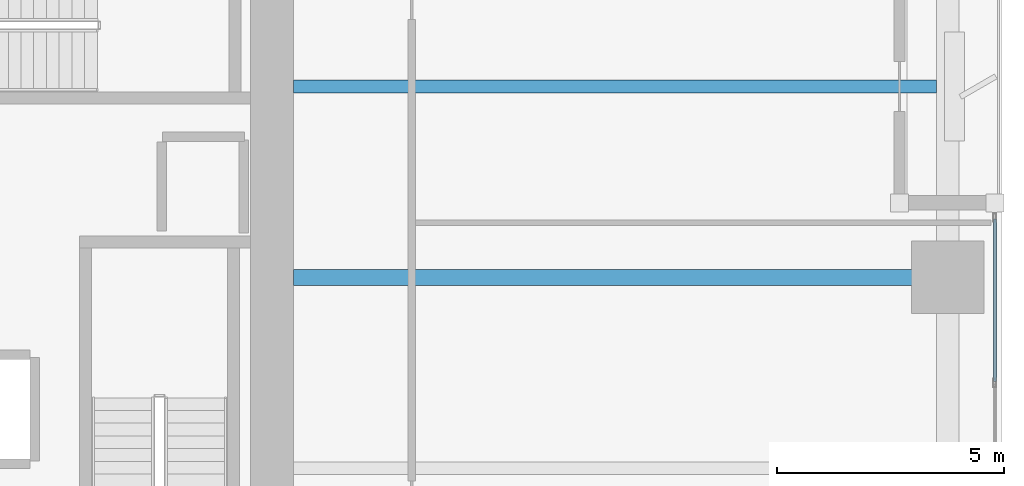
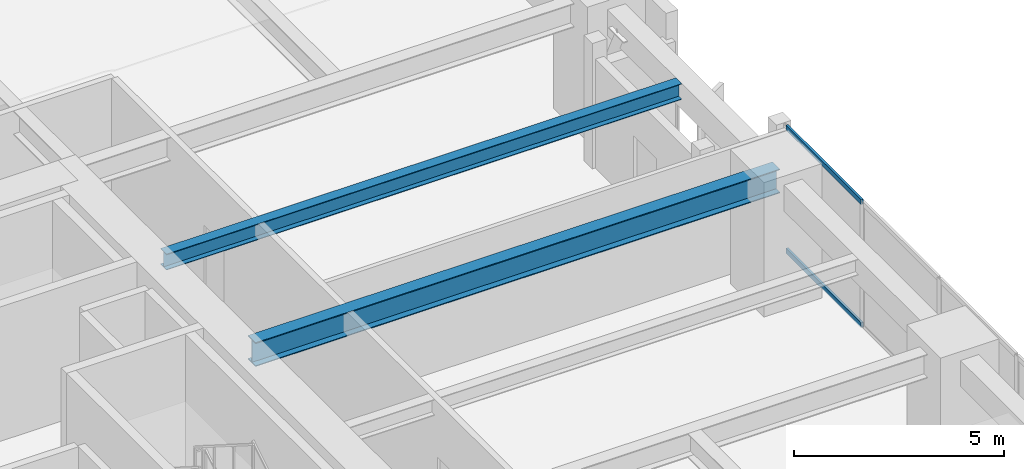
# One storey, part 12 of 26: 2 beams, 2 members, 1 element without a shape of its own.
"""IFC4 building model written with IfcOpenShell, lengths in metres."""

from ifc_helpers import new_model, si_unit, direction, frame, origin, origin_2d, place, context, subcontext, project, spatial, hollow_rectangle, i_section, extrude, material, layer, layer_set, material_profile, profile_set, type_object, element, aggregate, save


model = new_model("IFC4")

# Units and contexts
model_context = context("Model", 3, precision=1e-05, world=origin(), true_north=direction((0.0, 1.0)))
body_context = subcontext(model_context, "Body", "Model", "MODEL_VIEW")
ifc_project = project(units=[si_unit("LENGTHUNIT", "METRE"), si_unit("AREAUNIT", "SQUARE_METRE"), si_unit("VOLUMEUNIT", "CUBIC_METRE"), si_unit("PLANEANGLEUNIT", "RADIAN"), si_unit("MASSUNIT", "GRAM", prefix="KILO")], contexts=[model_context])

# Site, building, storey
site_placement = place(None, origin())
site = spatial("IfcSite", under=ifc_project, at=site_placement, CompositionType="ELEMENT")
building_placement = place(site_placement, origin())
building = spatial("IfcBuilding", under=site, at=building_placement, Name="Kiyonajd Concourse Tower", CompositionType="ELEMENT")
storey_placement = place(building_placement, frame((0.0, 0.0, 72.89990234375)))
storey = spatial("IfcBuildingStorey", under=building, at=storey_placement, Name="L19", CompositionType="ELEMENT", Elevation=72.89990234375)

# Beams
ifc_material_1 = material(Name="Steel ASTM A992 Grade 50", Category="steel")
ifc_material_profile_1 = material_profile(ifc_material_1, i_section(OverallWidth=0.280029296875, OverallDepth=0.462890625, WebThickness=0.0107421875, FlangeThickness=0.017333984375, at=origin_2d()), Name="W460X113")
ifc_profile_set_1 = profile_set([ifc_material_profile_1], Name="Steel ASTM A992 Grade 50")
beam_type_1 = type_object("IfcBeamType", Name="BM-JST-460A", PredefinedType="JOIST", material=ifc_profile_set_1)
beam_1_placement = place(storey_placement, frame((63.60009765625, 40.199951171875, 3.40869140625), z_axis=(1.0, 0.0, 0.0), x_axis=(0.0, 1.0, 0.0)))
element("IfcBeam", 1, at=beam_1_placement, inside=storey, type_object=beam_type_1, Name="L19 East Secondary Floor Joist", PredefinedType="JOIST", context=body_context, shape_type="SweptSolid", body=[
    extrude(i_section(OverallWidth=0.280029296875, OverallDepth=0.462890625, WebThickness=0.0107421875, FlangeThickness=0.017333984375, at=origin_2d()), origin(), (0.0, 0.0, 1.0), 14.14990234375),
])
ifc_material_profile_2 = material_profile(ifc_material_1, i_section(OverallWidth=0.35498046875, OverallDepth=0.695068359375, WebThickness=0.015380859375, FlangeThickness=0.02490234375, at=origin_2d()), Name="W690X217")
ifc_profile_set_2 = profile_set([ifc_material_profile_2], Name="Steel ASTM A992 Grade 50")
beam_type_2 = type_object("IfcBeamType", Name="BM-TWR-690", PredefinedType="BEAM", material=ifc_profile_set_2)
beam_2_placement = place(storey_placement, frame((63.60009765625, 36.0, 3.29248046875), z_axis=(1.0, 0.0, 0.0), x_axis=(0.0, 1.0, 0.0)))
element("IfcBeam", 2, at=beam_2_placement, inside=storey, type_object=beam_type_2, Name="L19 East Lease Girder", PredefinedType="BEAM", context=body_context, shape_type="SweptSolid", body=[
    extrude(i_section(OverallWidth=0.35498046875, OverallDepth=0.695068359375, WebThickness=0.015380859375, FlangeThickness=0.02490234375, at=origin_2d()), origin(), (0.0, 0.0, 1.0), 14.39990234375),
])

# Curtain wall, members
ifc_material_2 = material(Name="Thermally Broken Anodised Aluminium", Category="aluminium")
ifc_layer = layer(ifc_material_2, 0.179931640625)
ifc_layer_set = layer_set([ifc_layer], Name="Thermally Broken Anodised Aluminium")
curtain_wall_type = type_object("IfcCurtainWallType", Name="CW-SYS-02", PredefinedType="NOTDEFINED", material=ifc_layer_set)
curtain_wall_placement = place(storey_placement, origin())
curtain_wall = element("IfcCurtainWall", 3, at=curtain_wall_placement, inside=storey, type_object=curtain_wall_type, Name="L19 Unitised Curtain Wall CW2", PredefinedType="NOTDEFINED")
ifc_material_profile_3 = material_profile(ifc_material_2, hollow_rectangle(XDim=0.06494140625, YDim=0.139892578125, WallThickness=0.00390625, at=origin_2d()), Name="TRAN-65x140")
ifc_profile_set_3 = profile_set([ifc_material_profile_3], Name="Thermally Broken Anodised Aluminium")
member_type = type_object("IfcMemberType", Name="MB-CW-TRAN1", PredefinedType="USERDEFINED", material=ifc_profile_set_3)
member_1_placement = place(storey_placement, frame((79.0400390625, 37.284912109375, 0.03271484375), z_axis=(0.0, -1.0, 0.0), x_axis=(1.0, 0.0, 0.0)))
member_1 = element("IfcMember", 4, at=member_1_placement, type_object=member_type, Name="CW2 transom 1.1", ObjectType="TRANSOM", PredefinedType="USERDEFINED", context=body_context, shape_type="SweptSolid", body=[
    extrude(hollow_rectangle(XDim=0.06494140625, YDim=0.139892578125, WallThickness=0.00390625, at=origin_2d()), origin(), (0.0, 0.0, 1.0), 3.57568359375),
])
member_2_placement = place(storey_placement, frame((79.0400390625, 37.284912109375, 3.607666015625), z_axis=(0.0, -1.0, 0.0), x_axis=(1.0, 0.0, 0.0)))
member_2 = element("IfcMember", 5, at=member_2_placement, type_object=member_type, Name="CW2 transom 1.2", ObjectType="TRANSOM", PredefinedType="USERDEFINED", context=body_context, shape_type="SweptSolid", body=[
    extrude(hollow_rectangle(XDim=0.06494140625, YDim=0.139892578125, WallThickness=0.00390625, at=origin_2d()), origin(), (0.0, 0.0, 1.0), 3.57568359375),
])
aggregate(curtain_wall, [member_1, member_2])

save(model, "model.ifc")
